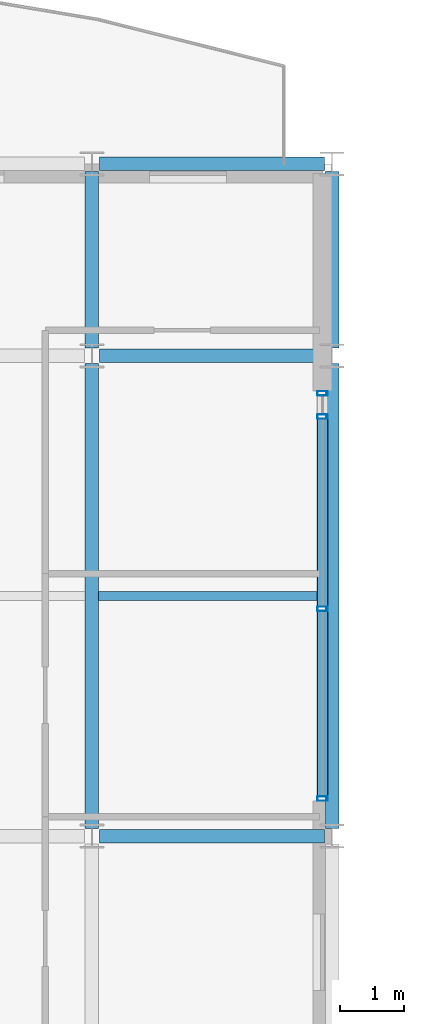
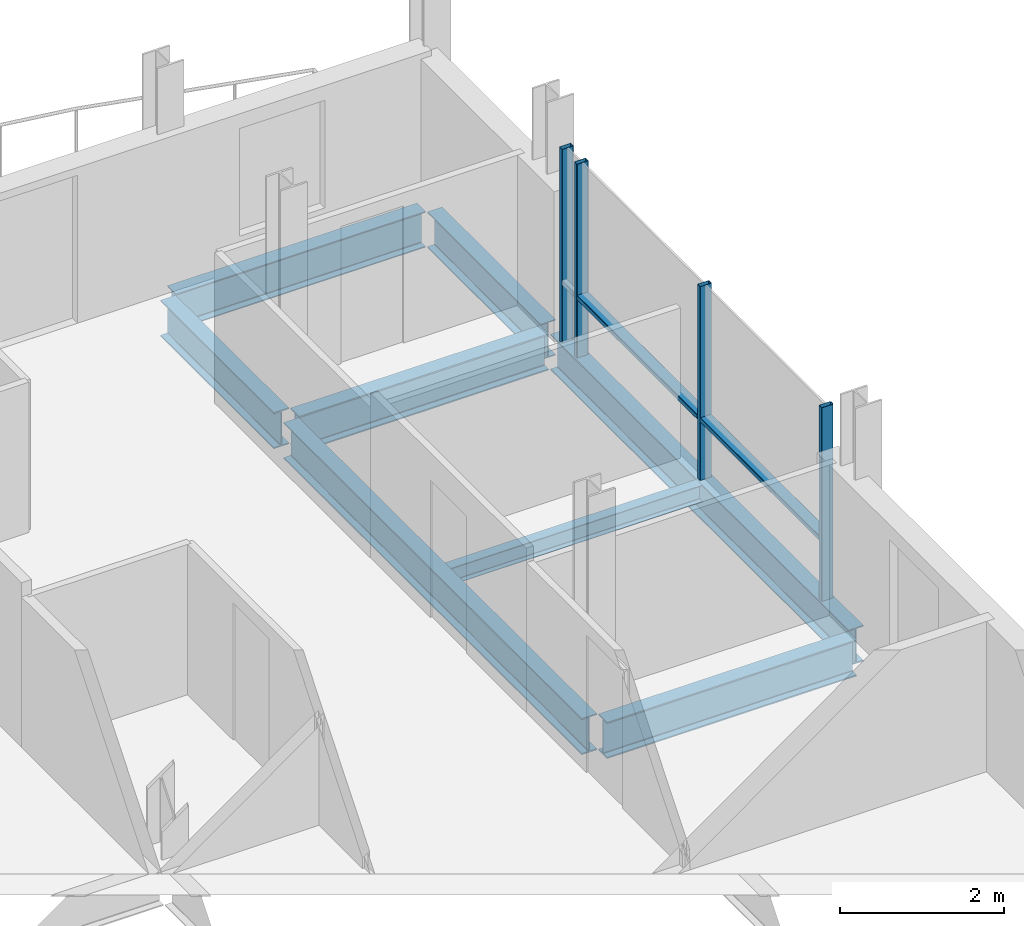
# One storey, part 9 of 30: 8 beams, 6 members, 1 element without a shape of its own.
"""IFC4 building model written with IfcOpenShell, lengths in metres."""

from ifc_helpers import new_model, si_unit, direction, frame, origin, origin_2d, place, context, subcontext, project, spatial, hollow_rectangle, i_section, extrude, material, layer, layer_set, material_profile, profile_set, type_object, element, aggregate, save


model = new_model("IFC4")

# Units and contexts
model_context = context("Model", 3, precision=1e-05, world=origin(), true_north=direction((0.0, 1.0)))
body_context = subcontext(model_context, "Body", "Model", "MODEL_VIEW")
ifc_project = project(units=[si_unit("LENGTHUNIT", "METRE"), si_unit("AREAUNIT", "SQUARE_METRE"), si_unit("VOLUMEUNIT", "CUBIC_METRE"), si_unit("PLANEANGLEUNIT", "RADIAN"), si_unit("MASSUNIT", "GRAM", prefix="KILO")], contexts=[model_context])

# Site, building, storey
site_placement = place(None, origin())
site = spatial("IfcSite", under=ifc_project, at=site_placement, CompositionType="ELEMENT")
building_placement = place(site_placement, origin())
building = spatial("IfcBuilding", under=site, at=building_placement, Name="Brevholm Reach", CompositionType="ELEMENT")
storey_placement = place(building_placement, frame((0.0, 0.0, 211.10009765625)))
storey = spatial("IfcBuildingStorey", under=building, at=storey_placement, Name="L64", CompositionType="ELEMENT", Elevation=211.10009765625)

# Beams
ifc_material_1 = material(Name="Structural Steel S355J2", Category="steel")
ifc_material_profile_1 = material_profile(ifc_material_1, i_section(OverallWidth=0.14599609375, OverallDepth=0.25146484375, WebThickness=0.006103515625, FlangeThickness=0.008544921875, FilletRadius=0.007568359375, at=origin_2d()), Name="UKB 254x146x31")
ifc_profile_set_1 = profile_set([ifc_material_profile_1], Name="Structural Steel S355J2")
beam_type_1 = type_object("IfcBeamType", Name="BM-B254", PredefinedType="BEAM", material=ifc_profile_set_1)
beam_1_placement = place(storey_placement, frame((18.10546875, 19.75, -0.335693359375), z_axis=(1.0, 0.0, 0.0), x_axis=(0.0, 1.0, 0.0)))
element("IfcBeam", 1, at=beam_1_placement, inside=storey, type_object=beam_type_1, Name="L64 Composite Secondary Floor Beam", PredefinedType="BEAM", context=body_context, shape_type="SweptSolid", body=[
    extrude(i_section(OverallWidth=0.14599609375, OverallDepth=0.25146484375, WebThickness=0.006103515625, FlangeThickness=0.008544921875, FilletRadius=0.007568359375, at=origin_2d()), origin(), (0.0, 0.0, 1.0), 3.539794921875),
])
ifc_material_2 = material(Name="Structural Steel S355J2", Category="steel")
ifc_material_profile_2 = material_profile(ifc_material_2, i_section(OverallWidth=0.209228515625, OverallDepth=0.533203125, WebThickness=0.010009765625, FlangeThickness=0.015625, FilletRadius=0.0126953125, at=origin_2d()), Name="UKB 533x210x92")
ifc_profile_set_2 = profile_set([ifc_material_profile_2], Name="Structural Steel S355J2")
beam_type_2 = type_object("IfcBeamType", Name="BM-SP533", PredefinedType="SPANDREL", material=ifc_profile_set_2)
beam_2_placement = place(storey_placement, frame((18.1201171875, 26.5, -0.4765625), z_axis=(1.0, 0.0, 0.0), x_axis=(0.0, 1.0, 0.0)))
element("IfcBeam", 2, at=beam_2_placement, inside=storey, type_object=beam_type_2, Name="L64 SP-02 Framing Beam", PredefinedType="SPANDREL", context=body_context, shape_type="SweptSolid", body=[
    extrude(i_section(OverallWidth=0.209228515625, OverallDepth=0.533203125, WebThickness=0.010009765625, FlangeThickness=0.015625, FilletRadius=0.0126953125, at=origin_2d()), origin(), (0.0, 0.0, 1.0), 3.509765625),
])
beam_3_placement = place(storey_placement, frame((21.75, 16.1201171875, -0.4765625), z_axis=(0.0, 1.0, 0.0), x_axis=(-1.0, 0.0, 0.0)))
element("IfcBeam", 3, at=beam_3_placement, inside=storey, type_object=beam_type_2, Name="L64 SP-02 Framing Beam", PredefinedType="SPANDREL", context=body_context, shape_type="SweptSolid", body=[
    extrude(i_section(OverallWidth=0.209228515625, OverallDepth=0.533203125, WebThickness=0.010009765625, FlangeThickness=0.015625, FilletRadius=0.0126953125, at=origin_2d()), origin(), (0.0, 0.0, 1.0), 7.259765625),
])
beam_4_placement = place(storey_placement, frame((21.75, 23.6201171875, -0.4765625), z_axis=(0.0, 1.0, 0.0), x_axis=(-1.0, 0.0, 0.0)))
element("IfcBeam", 4, at=beam_4_placement, inside=storey, type_object=beam_type_2, Name="L64 SP-02 Framing Beam", PredefinedType="SPANDREL", context=body_context, shape_type="SweptSolid", body=[
    extrude(i_section(OverallWidth=0.209228515625, OverallDepth=0.533203125, WebThickness=0.010009765625, FlangeThickness=0.015625, FilletRadius=0.0126953125, at=origin_2d()), origin(), (0.0, 0.0, 1.0), 2.759765625),
])
ifc_material_3 = material(Name="Structural Steel S355J2", Category="steel")
ifc_material_profile_3 = material_profile(ifc_material_3, i_section(OverallWidth=0.210693359375, OverallDepth=0.53955078125, WebThickness=0.01171875, FlangeThickness=0.018798828125, FilletRadius=0.0126953125, at=origin_2d()), Name="UKB 533x210x109")
ifc_profile_set_3 = profile_set([ifc_material_profile_3], Name="Structural Steel S355J2")
beam_type_3 = type_object("IfcBeamType", Name="BM-SP539", PredefinedType="SPANDREL", material=ifc_profile_set_3)
for number, where, z_axis, x_axis, name in (
    (5, (18.1201171875, 16.0, -0.479736328125), (1.0, 0.0, 0.0), (0.0, 1.0, 0.0), "L64 SP-01B Framing Beam"),
    (6, (18.1201171875, 23.5, -0.479736328125), (1.0, 0.0, 0.0), (0.0, 1.0, 0.0), "L64 SP-01B Framing Beam"),
):
    element("IfcBeam", number, at=place(storey_placement, frame(where, z_axis=z_axis, x_axis=x_axis)), inside=storey, type_object=beam_type_3, Name=name, PredefinedType="SPANDREL", context=body_context, shape_type="SweptSolid", body=[
        extrude(i_section(OverallWidth=0.210693359375, OverallDepth=0.53955078125, WebThickness=0.01171875, FlangeThickness=0.018798828125, FilletRadius=0.0126953125, at=origin_2d()), origin(), (0.0, 0.0, 1.0), 3.509765625),
    ])
beam_5_placement = place(storey_placement, frame((18.0, 16.1201171875, -0.479736328125), z_axis=(0.0, 1.0, 0.0), x_axis=(-1.0, 0.0, 0.0)))
element("IfcBeam", 7, at=beam_5_placement, inside=storey, type_object=beam_type_3, Name="L64 SP-01B Framing Beam", PredefinedType="SPANDREL", context=body_context, shape_type="SweptSolid", body=[
    extrude(i_section(OverallWidth=0.210693359375, OverallDepth=0.53955078125, WebThickness=0.01171875, FlangeThickness=0.018798828125, FilletRadius=0.0126953125, at=origin_2d()), origin(), (0.0, 0.0, 1.0), 7.259765625),
])
beam_6_placement = place(storey_placement, frame((18.0, 23.6201171875, -0.479736328125), z_axis=(0.0, 1.0, 0.0), x_axis=(-1.0, 0.0, 0.0)))
element("IfcBeam", 8, at=beam_6_placement, inside=storey, type_object=beam_type_3, Name="L64 SP-01B Framing Beam", PredefinedType="SPANDREL", context=body_context, shape_type="SweptSolid", body=[
    extrude(i_section(OverallWidth=0.210693359375, OverallDepth=0.53955078125, WebThickness=0.01171875, FlangeThickness=0.018798828125, FilletRadius=0.0126953125, at=origin_2d()), origin(), (0.0, 0.0, 1.0), 2.759765625),
])

# Curtain wall, members
ifc_material_4 = material(Name="Dark Anodised Aluminium 6063-T6 and Solar-Control Glass", Category="aluminium")
ifc_layer = layer(ifc_material_4, 0.1650390625)
ifc_layer_set = layer_set([ifc_layer], Name="Dark Anodised Aluminium 6063-T6 and Solar-Control Glass")
curtain_wall_type = type_object("IfcCurtainWallType", Name="CW-04", PredefinedType="NOTDEFINED", material=ifc_layer_set)
curtain_wall_placement = place(storey_placement, origin())
curtain_wall = element("IfcCurtainWall", 9, at=curtain_wall_placement, inside=storey, type_object=curtain_wall_type, Name="L64 Curtain Wall CW-04", PredefinedType="NOTDEFINED")
ifc_material_5 = material(Name="Dark Anodised Aluminium 6063-T6", Category="aluminium")
ifc_material_profile_4 = material_profile(ifc_material_5, hollow_rectangle(XDim=0.070068359375, YDim=0.1650390625, WallThickness=0.0048828125, InnerFilletRadius=0.0048828125, OuterFilletRadius=0.010009765625, at=origin_2d()), Name="RHS 165x70x5")
ifc_profile_set_4 = profile_set([ifc_material_profile_4], Name="Dark Anodised Aluminium 6063-T6")
member_type_1 = type_object("IfcMemberType", Name="CWM-165", PredefinedType="MULLION", material=ifc_profile_set_4)
member_1_placement = place(storey_placement, frame((21.60009765625, 16.5849609375, 0.0), z_axis=(0.0, 0.0, 1.0), x_axis=(0.0, 1.0, 0.0)))
member_1 = element("IfcMember", 10, at=member_1_placement, type_object=member_type_1, Name="CM-165 Mullion 1", PredefinedType="MULLION", context=body_context, shape_type="SweptSolid", body=[
    extrude(hollow_rectangle(XDim=0.070068359375, YDim=0.1650390625, WallThickness=0.0048828125, InnerFilletRadius=0.0048828125, OuterFilletRadius=0.010009765625, at=origin_2d()), origin(), (0.0, 0.0, 1.0), 2.8798828125),
])
member_2_placement = place(storey_placement, frame((21.60009765625, 19.550048828125, 0.0), z_axis=(0.0, 0.0, 1.0), x_axis=(0.0, 1.0, 0.0)))
member_2 = element("IfcMember", 11, at=member_2_placement, type_object=member_type_1, Name="CM-165 Mullion 2", PredefinedType="MULLION", context=body_context, shape_type="SweptSolid", body=[
    extrude(hollow_rectangle(XDim=0.070068359375, YDim=0.1650390625, WallThickness=0.0048828125, InnerFilletRadius=0.0048828125, OuterFilletRadius=0.010009765625, at=origin_2d()), origin(), (0.0, 0.0, 1.0), 2.8798828125),
])
member_3_placement = place(storey_placement, frame((21.60009765625, 22.550048828125, 0.0), z_axis=(0.0, 0.0, 1.0), x_axis=(0.0, 1.0, 0.0)))
member_3 = element("IfcMember", 12, at=member_3_placement, type_object=member_type_1, Name="CM-165 Mullion 3", PredefinedType="MULLION", context=body_context, shape_type="SweptSolid", body=[
    extrude(hollow_rectangle(XDim=0.070068359375, YDim=0.1650390625, WallThickness=0.0048828125, InnerFilletRadius=0.0048828125, OuterFilletRadius=0.010009765625, at=origin_2d()), origin(), (0.0, 0.0, 1.0), 2.8798828125),
])
member_4_placement = place(storey_placement, frame((21.60009765625, 22.9150390625, 0.0), z_axis=(0.0, 0.0, 1.0), x_axis=(0.0, 1.0, 0.0)))
member_4 = element("IfcMember", 13, at=member_4_placement, type_object=member_type_1, Name="CM-165 Mullion 4", PredefinedType="MULLION", context=body_context, shape_type="SweptSolid", body=[
    extrude(hollow_rectangle(XDim=0.070068359375, YDim=0.1650390625, WallThickness=0.0048828125, InnerFilletRadius=0.0048828125, OuterFilletRadius=0.010009765625, at=origin_2d()), origin(), (0.0, 0.0, 1.0), 2.8798828125),
])
ifc_material_6 = material(Name="Dark Anodised Aluminium 6063-T6", Category="aluminium")
ifc_material_profile_5 = material_profile(ifc_material_6, hollow_rectangle(XDim=0.070068359375, YDim=0.1650390625, WallThickness=0.0048828125, InnerFilletRadius=0.0048828125, OuterFilletRadius=0.010009765625, at=origin_2d()), Name="RHS 165x70x5")
ifc_profile_set_5 = profile_set([ifc_material_profile_5], Name="Dark Anodised Aluminium 6063-T6")
member_type_2 = type_object("IfcMemberType", Name="CWT-165", PredefinedType="NOTDEFINED", material=ifc_profile_set_5)
member_5_placement = place(storey_placement, frame((21.60009765625, 16.6201171875, 0.89990234375), z_axis=(0.0, 1.0, 0.0), x_axis=(0.0, 0.0, 1.0)))
member_5 = element("IfcMember", 14, at=member_5_placement, type_object=member_type_2, Name="CT-165 Transom 1.1", ObjectType="TRANSOM", PredefinedType="USERDEFINED", context=body_context, shape_type="SweptSolid", body=[
    extrude(hollow_rectangle(XDim=0.070068359375, YDim=0.1650390625, WallThickness=0.0048828125, InnerFilletRadius=0.0048828125, OuterFilletRadius=0.010009765625, at=origin_2d()), origin(), (0.0, 0.0, 1.0), 2.894775390625),
])
member_6_placement = place(storey_placement, frame((21.60009765625, 19.5849609375, 0.89990234375), z_axis=(0.0, 1.0, 0.0), x_axis=(0.0, 0.0, 1.0)))
member_6 = element("IfcMember", 15, at=member_6_placement, type_object=member_type_2, Name="CT-165 Transom 2.1", ObjectType="TRANSOM", PredefinedType="USERDEFINED", context=body_context, shape_type="SweptSolid", body=[
    extrude(hollow_rectangle(XDim=0.070068359375, YDim=0.1650390625, WallThickness=0.0048828125, InnerFilletRadius=0.0048828125, OuterFilletRadius=0.010009765625, at=origin_2d()), origin(), (0.0, 0.0, 1.0), 2.929931640625),
])
aggregate(curtain_wall, [member_1, member_2, member_3, member_4, member_5, member_6])

save(model, "model.ifc")
